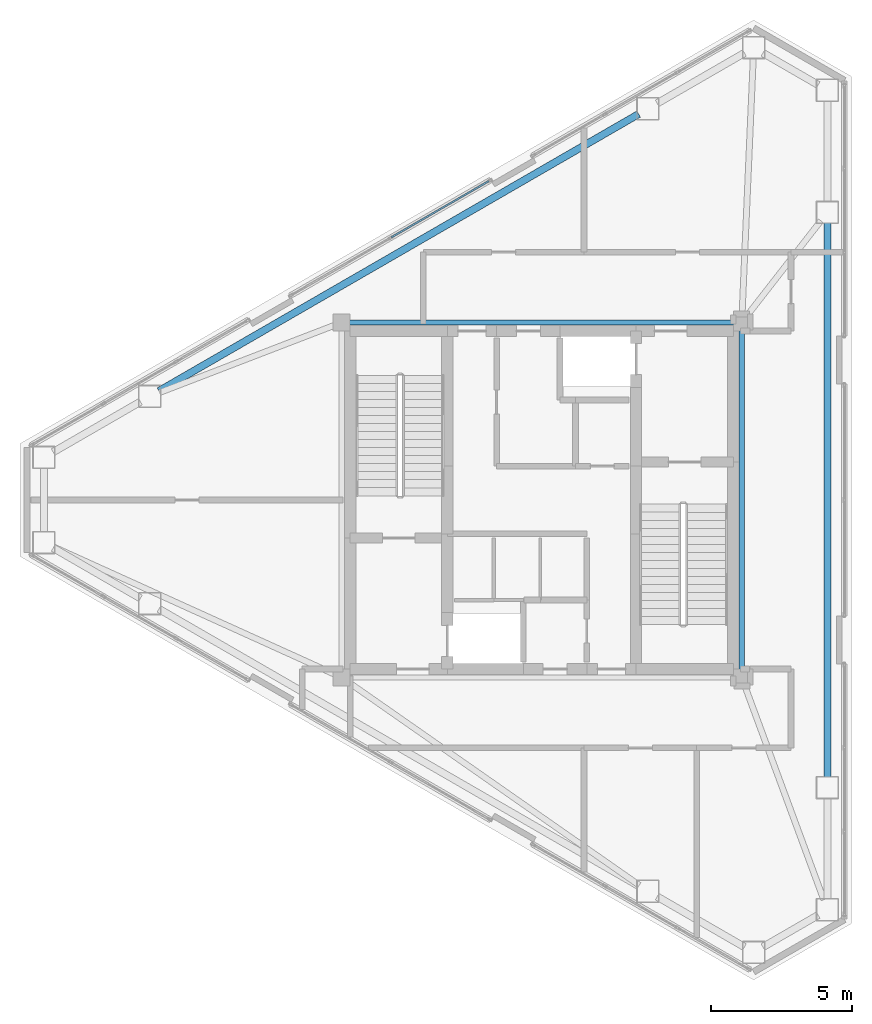
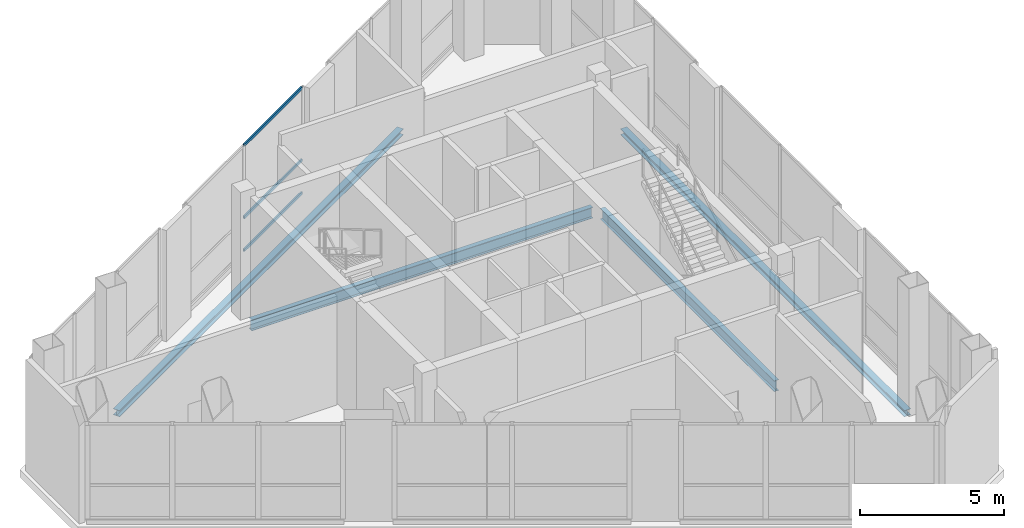
# One storey, part 7 of 13: 4 beams, 3 members, 1 element without a shape of its own.
"""IFC4 building model written with IfcOpenShell, lengths in metres."""

from ifc_helpers import new_model, si_unit, direction, frame, origin, origin_2d, place, context, subcontext, project, spatial, hollow_rectangle, i_section, extrude, material, layer, layer_set, material_profile, profile_set, type_object, element, aggregate, save


model = new_model("IFC4")

# Units and contexts
model_context = context("Model", 3, precision=1e-05, world=origin(), true_north=direction((0.0, 1.0)))
body_context = subcontext(model_context, "Body", "Model", "MODEL_VIEW")
ifc_project = project(units=[si_unit("LENGTHUNIT", "METRE"), si_unit("AREAUNIT", "SQUARE_METRE"), si_unit("VOLUMEUNIT", "CUBIC_METRE"), si_unit("PLANEANGLEUNIT", "RADIAN"), si_unit("MASSUNIT", "GRAM", prefix="KILO")], contexts=[model_context])

# Site, building, storey
site_placement = place(None, origin())
site = spatial("IfcSite", under=ifc_project, at=site_placement, CompositionType="ELEMENT")
building_placement = place(site_placement, origin())
building = spatial("IfcBuilding", under=site, at=building_placement, Name="Mersakhor Tower and Convention Hall", CompositionType="ELEMENT")
storey_placement = place(building_placement, frame((0.0, 0.0, 258.60009765625)))
storey = spatial("IfcBuildingStorey", under=building, at=storey_placement, Name="L72", CompositionType="ELEMENT", Elevation=258.60009765625)

# Beams
ifc_material_1 = material(Name="Steel S355", Category="steel")
ifc_material_profile_1 = material_profile(ifc_material_1, i_section(OverallWidth=0.19140625, OverallDepth=0.4599609375, WebThickness=0.010009765625, FlangeThickness=0.01611328125, at=origin_2d()), Name="UB 457x191x82")
ifc_profile_set_1 = profile_set([ifc_material_profile_1], Name="Steel S355")
beam_type_1 = type_object("IfcBeamType", Name="BM-FB-457", PredefinedType="BEAM", material=ifc_profile_set_1)
beam_1_placement = place(storey_placement, frame((22.179931640625, 33.050048828125, -0.550048828125), z_axis=(1.0, 0.0, 0.0), x_axis=(0.0, 1.0, 0.0)))
element("IfcBeam", 1, at=beam_1_placement, inside=storey, type_object=beam_type_1, Name="L72 Core Ring Tie Beam CRB-2", PredefinedType="BEAM", context=body_context, shape_type="SweptSolid", body=[
    extrude(i_section(OverallWidth=0.19140625, OverallDepth=0.4599609375, WebThickness=0.010009765625, FlangeThickness=0.01611328125, at=origin_2d()), origin(), (0.0, 0.0, 1.0), 13.64013671875),
])
beam_2_placement = place(storey_placement, frame((36.10009765625, 32.77001953125, -0.550048828125), z_axis=(0.0, -1.0, 0.0), x_axis=(1.0, 0.0, 0.0)))
element("IfcBeam", 2, at=beam_2_placement, inside=storey, type_object=beam_type_1, Name="L72 Core Ring Tie Beam CRB-3", PredefinedType="BEAM", context=body_context, shape_type="SweptSolid", body=[
    extrude(i_section(OverallWidth=0.19140625, OverallDepth=0.4599609375, WebThickness=0.010009765625, FlangeThickness=0.01611328125, at=origin_2d()), origin(), (0.0, 0.0, 1.0), 12.0400390625),
])
ifc_material_2 = material(Name="Steel S355", Category="steel")
ifc_material_profile_2 = material_profile(ifc_material_2, i_section(OverallWidth=0.25634765625, OverallDepth=0.26025390625, WebThickness=0.01025390625, FlangeThickness=0.017333984375, at=origin_2d()), Name="UC 254x254x89")
ifc_profile_set_2 = profile_set([ifc_material_profile_2], Name="Steel S355")
beam_type_2 = type_object("IfcBeamType", Name="BM-SPD-UC254", PredefinedType="SPANDREL", material=ifc_profile_set_2)
beam_3_placement = place(storey_placement, frame((15.414794921875, 30.618408203125, -0.4501953125), z_axis=(0.866021610626, 0.500006569886, 0.0), x_axis=(-0.500006569886, 0.866021610626, 0.0)))
element("IfcBeam", 3, at=beam_3_placement, inside=storey, type_object=beam_type_2, Name="L72 Perimeter Spandrel Beam SPB-02", PredefinedType="SPANDREL", context=body_context, shape_type="SweptSolid", body=[
    extrude(i_section(OverallWidth=0.25634765625, OverallDepth=0.26025390625, WebThickness=0.01025390625, FlangeThickness=0.017333984375, at=origin_2d()), origin(), (0.0, 0.0, 1.0), 19.661865234375),
])
beam_4_placement = place(storey_placement, frame((39.142822265625, 36.580810546875, -0.4501953125), z_axis=(0.0, -1.0, 0.0), x_axis=(1.0, 0.0, 0.0)))
element("IfcBeam", 4, at=beam_4_placement, inside=storey, type_object=beam_type_2, Name="L72 Perimeter Spandrel Beam SPB-06", PredefinedType="SPANDREL", context=body_context, shape_type="SweptSolid", body=[
    extrude(i_section(OverallWidth=0.25634765625, OverallDepth=0.26025390625, WebThickness=0.01025390625, FlangeThickness=0.017333984375, at=origin_2d()), origin(), (0.0, 0.0, 1.0), 19.66162109375),
])

# Curtain wall, members
ifc_material_3 = material(Name="Dark solar low-E aluminium curtain wall", Category="aluminium")
ifc_layer = layer(ifc_material_3, 0.2099609375)
ifc_layer_set = layer_set([ifc_layer], Name="Dark solar low-E aluminium curtain wall")
curtain_wall_type = type_object("IfcCurtainWallType", Name="CW-SYS-06", PredefinedType="USERDEFINED", material=ifc_layer_set)
curtain_wall_placement = place(storey_placement, origin())
curtain_wall = element("IfcCurtainWall", 5, at=curtain_wall_placement, inside=storey, type_object=curtain_wall_type, Name="L72 Dark-Glass Curtain Wall F1-B2", ObjectType="CURTAIN WALL", PredefinedType="USERDEFINED")
ifc_material_4 = material(Name="Anodised aluminium EN AW-6063 T6", Category="aluminium")
ifc_material_profile_3 = material_profile(ifc_material_4, hollow_rectangle(XDim=0.06005859375, YDim=0.1201171875, WallThickness=0.0048828125, at=origin_2d()), Name="RHS 120x60x5")
ifc_profile_set_3 = profile_set([ifc_material_profile_3], Name="Anodised aluminium EN AW-6063 T6")
member_type = type_object("IfcMemberType", Name="CWT-120x60", PredefinedType="USERDEFINED", material=ifc_profile_set_3)
member_1_placement = place(storey_placement, frame((23.663330078125, 36.073486328125, 0.22998046875), z_axis=(0.866007437469, 0.50003111728, 0.0), x_axis=(-0.50003111728, 0.866007437469, 0.0)))
member_1 = element("IfcMember", 6, at=member_1_placement, type_object=member_type, Name="CW-06 transom 2.1", ObjectType="TRANSOM", PredefinedType="USERDEFINED", context=body_context, shape_type="SweptSolid", body=[
    extrude(hollow_rectangle(XDim=0.06005859375, YDim=0.1201171875, WallThickness=0.0048828125, at=origin_2d()), origin(), (0.0, 0.0, 1.0), 3.993896484375),
])
member_2_placement = place(storey_placement, frame((23.663330078125, 36.073486328125, 1.619873046875), z_axis=(0.866007437469, 0.50003111728, 0.0), x_axis=(-0.50003111728, 0.866007437469, 0.0)))
member_2 = element("IfcMember", 7, at=member_2_placement, type_object=member_type, Name="CW-06 transom 2.2", ObjectType="TRANSOM", PredefinedType="USERDEFINED", context=body_context, shape_type="SweptSolid", body=[
    extrude(hollow_rectangle(XDim=0.06005859375, YDim=0.1201171875, WallThickness=0.0048828125, at=origin_2d()), origin(), (0.0, 0.0, 1.0), 3.993896484375),
])
member_3_placement = place(storey_placement, frame((23.663330078125, 36.073486328125, 4.669921875), z_axis=(0.866007437469, 0.50003111728, 0.0), x_axis=(-0.50003111728, 0.866007437469, 0.0)))
member_3 = element("IfcMember", 8, at=member_3_placement, type_object=member_type, Name="CW-06 transom 2.3", ObjectType="TRANSOM", PredefinedType="USERDEFINED", context=body_context, shape_type="SweptSolid", body=[
    extrude(hollow_rectangle(XDim=0.06005859375, YDim=0.1201171875, WallThickness=0.0048828125, at=origin_2d()), origin(), (0.0, 0.0, 1.0), 3.993896484375),
])
aggregate(curtain_wall, [member_1, member_2, member_3])

save(model, "model.ifc")
